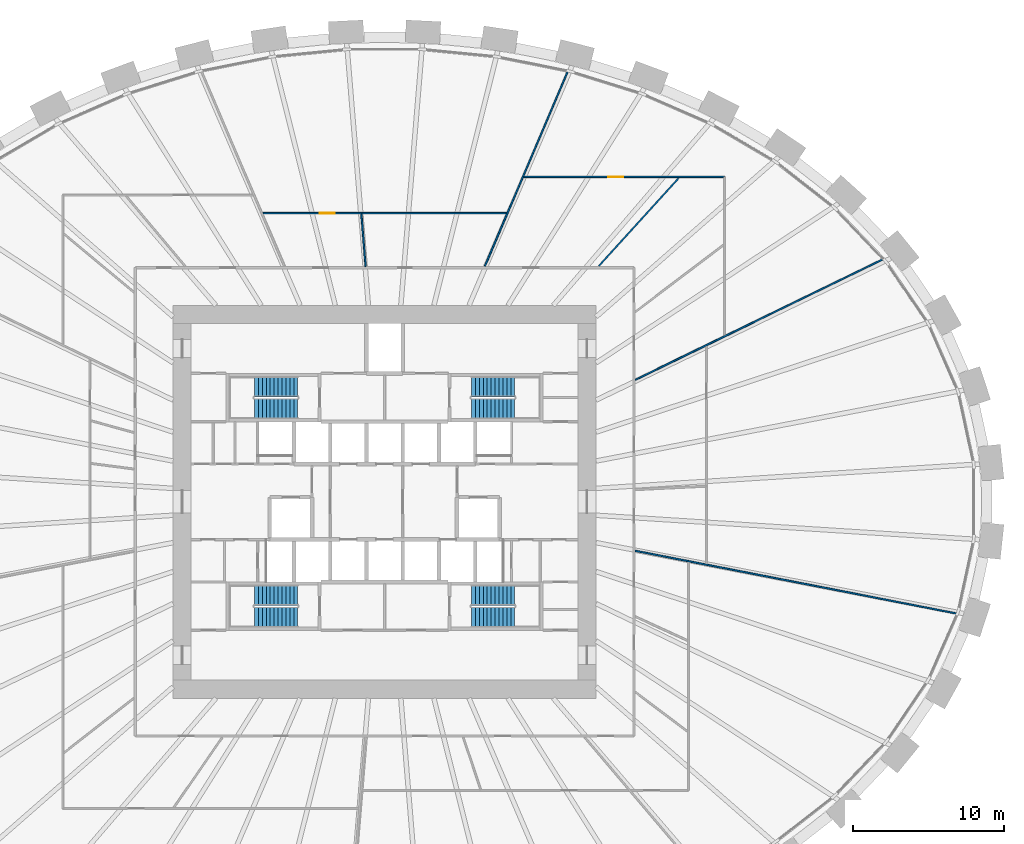
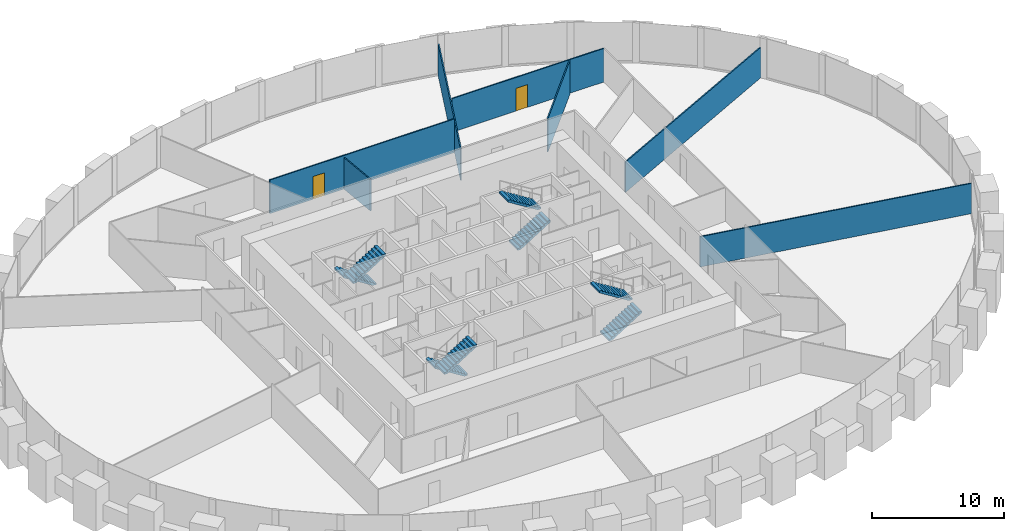
# One storey, part 10 of 11: 8 stair flights, 7 walls, 2 doors, 2 openings, 4 elements without a shape of their own.
"""IFC4 building model written with IfcOpenShell, lengths in metres."""

from ifc_helpers import new_model, si_unit, direction, frame, frame_2d, origin, place, context, subcontext, project, spatial, polyline, rectangle, outline, extrude, source, transform, mapped, material, layer, layer_set, type_object, element, fill, aggregate, save


model = new_model("IFC4")

# Units and contexts
model_context = context("Model", 3, precision=1e-05, world=origin(), true_north=direction((0.0, 1.0)))
body_context = subcontext(model_context, "Body", "Model", "MODEL_VIEW")
ifc_project = project(units=[si_unit("LENGTHUNIT", "METRE"), si_unit("AREAUNIT", "SQUARE_METRE"), si_unit("VOLUMEUNIT", "CUBIC_METRE"), si_unit("PLANEANGLEUNIT", "RADIAN"), si_unit("MASSUNIT", "GRAM", prefix="KILO")], contexts=[model_context])

# Site, building, storey
site_placement = place(None, origin())
site = spatial("IfcSite", under=ifc_project, at=site_placement, CompositionType="ELEMENT")
building_placement = place(site_placement, origin())
building = spatial("IfcBuilding", under=site, at=building_placement, Name="Embergate Tower", CompositionType="ELEMENT")
storey_placement = place(building_placement, frame((0.0, 0.0, 109.39990234375)))
storey = spatial("IfcBuildingStorey", under=building, at=storey_placement, Name="L23", CompositionType="ELEMENT", Elevation=109.39990234375)

# Walls
ifc_material_1 = material(Name="Partition dry-lined 100")
ifc_layer = layer(ifc_material_1, 0.10009765625)
ifc_layer_set = layer_set([ifc_layer], Name="Partition dry-lined 100")
wall_type = type_object("IfcWallType", Name="Partition dry-lined 100", PredefinedType="PARTITIONING", material=ifc_layer_set)
shared_shape_1 = source(origin(), body_context, "Body", "SweptSolid", [
    extrude(rectangle(XDim=21.7158203125, YDim=0.10009765625, at=frame_2d((10.85791015625, 0.0))), origin(), (0.0, 0.0, 1.0), 2.800048828125),
])
wall_1_placement = place(storey_placement, frame((37.89794921875, -7.403076171875, 0.0), z_axis=(0.0, 0.0, 1.0), x_axis=(-0.981452018893, 0.191707940917, 0.0)))
element("IfcWall", 1, at=wall_1_placement, inside=storey, type_object=wall_type, Name="IP-1 wall", PredefinedType="PARTITIONING", context=body_context, shape_type="MappedRepresentation", body=[
    mapped(shared_shape_1, transform((0.0, 0.0, 0.0))),
])
shared_shape_2 = source(origin(), body_context, "Body", "SweptSolid", [
    extrude(rectangle(XDim=18.260986328125, YDim=0.10009765625, at=frame_2d((9.13037109375, 0.0))), origin(), (0.0, 0.0, 1.0), 2.800048828125),
])
wall_2_placement = place(storey_placement, frame((33.01611328125, 16.070068359375, 0.0), z_axis=(0.0, 0.0, 1.0), x_axis=(-0.89913869284, -0.437663810519, 0.0)))
element("IfcWall", 2, at=wall_2_placement, inside=storey, type_object=wall_type, Name="IP-1 wall", PredefinedType="PARTITIONING", context=body_context, shape_type="MappedRepresentation", body=[
    mapped(shared_shape_2, transform((0.0, 0.0, 0.0))),
])
shared_shape_3 = source(origin(), body_context, "Body", "SweptSolid", [
    extrude(rectangle(XDim=7.845947265625, YDim=0.10009765625, at=frame_2d((3.9228515625, 0.0))), origin(), (0.0, 0.0, 1.0), 3.10009765625),
])
wall_3_placement = place(storey_placement, frame((14.178955078125, 15.60888671875, 0.0), z_axis=(0.0, 0.0, 1.0), x_axis=(0.672457484785, 0.740135751844, 0.0)))
element("IfcWall", 3, at=wall_3_placement, inside=storey, type_object=wall_type, Name="IP-1 wall", PredefinedType="PARTITIONING", context=body_context, shape_type="MappedRepresentation", body=[
    mapped(shared_shape_3, transform((0.0, 0.0, 0.0))),
])

# Wall, opening, door
shared_shape_4 = source(origin(), body_context, "Body", "SweptSolid", [
    extrude(rectangle(XDim=13.27490234375, YDim=0.10009765625, at=frame_2d((6.637451171875, 0.0))), origin(), (0.0, 0.0, 1.0), 3.10009765625),
])
wall_4_placement = place(storey_placement, frame((9.22509765625, 21.5, 0.0), z_axis=(0.0, 0.0, 1.0), x_axis=(1.0, 0.0, 0.0)))
wall_4 = element("IfcWall", 4, at=wall_4_placement, inside=storey, type_object=wall_type, Name="IP-1 wall", PredefinedType="PARTITIONING", context=body_context, shape_type="MappedRepresentation", body=[
    mapped(shared_shape_4, transform((0.0, 0.0, 0.0))),
])
shared_shape_5 = source(origin(), body_context, "Body", "SweptSolid", [
    extrude(rectangle(XDim=1.0, YDim=2.10009765625, at=frame_2d((0.5, 1.050048828125))), frame((0.0, 0.06005859375, 0.0), z_axis=(0.0, -1.0, 0.0), x_axis=(1.0, 0.0, 0.0)), (0.0, 0.0, 1.0), 0.1201171875),
])
opening_1_placement = place(wall_4_placement, frame((5.581298828125, 0.0, 0.0)))
opening_1 = element("IfcOpeningElement", 5, at=opening_1_placement, cuts=wall_4, Name="Opening ID-2", PredefinedType="OPENING", context=body_context, shape_type="MappedRepresentation", body=[
    mapped(shared_shape_5, transform((0.0, 0.0, 0.0))),
])
ifc_material_2 = material(Name="Interior door 1000")
door_type = type_object("IfcDoorType", Name="Interior door 1000", OperationType="SINGLE_SWING_LEFT", PredefinedType="DOOR", material=ifc_material_2)
shared_shape_6 = source(origin(), body_context, "Body", "SweptSolid", [
    extrude(rectangle(XDim=1.0, YDim=2.10009765625, at=frame_2d((0.5, 1.050048828125))), frame((0.0, 0.02490234375, 0.0), z_axis=(0.0, -1.0, 0.0), x_axis=(1.0, 0.0, 0.0)), (0.0, 0.0, 1.0), 0.050048828125),
])
door_1_placement = place(opening_1_placement, origin())
door_1 = element("IfcDoor", 6, at=door_1_placement, inside=storey, type_object=door_type, Name="ID-2 door", OperationType="SINGLE_SWING_LEFT", OverallHeight=2.10009765625, OverallWidth=1.0, PredefinedType="DOOR", context=body_context, shape_type="MappedRepresentation", body=[
    mapped(shared_shape_6, transform((0.0, 0.0, 0.0))),
])
fill(opening_1, door_1)

shared_shape_7 = source(origin(), body_context, "Body", "SweptSolid", [
    extrude(rectangle(XDim=16.10400390625, YDim=0.10009765625, at=frame_2d((8.052001953125, 0.0))), origin(), (0.0, 0.0, 1.0), 3.10009765625),
])
wall_5_placement = place(storey_placement, frame((-8.052001953125, 19.10009765625, 0.0), z_axis=(0.0, 0.0, 1.0), x_axis=(1.0, 0.0, 0.0)))
wall_5 = element("IfcWall", 7, at=wall_5_placement, inside=storey, type_object=wall_type, Name="IP-1 wall", PredefinedType="PARTITIONING", context=body_context, shape_type="MappedRepresentation", body=[
    mapped(shared_shape_7, transform((0.0, 0.0, 0.0))),
])
opening_2_placement = place(wall_5_placement, frame((3.76513671875, 0.0, 0.0)))
opening_2 = element("IfcOpeningElement", 8, at=opening_2_placement, cuts=wall_5, Name="Opening ID-2", PredefinedType="OPENING", context=body_context, shape_type="MappedRepresentation", body=[
    mapped(shared_shape_5, transform((0.0, 0.0, 0.0))),
])
door_2_placement = place(opening_2_placement, origin())
door_2 = element("IfcDoor", 9, at=door_2_placement, inside=storey, type_object=door_type, Name="ID-2 door", OperationType="SINGLE_SWING_LEFT", OverallHeight=2.10009765625, OverallWidth=1.0, PredefinedType="DOOR", context=body_context, shape_type="MappedRepresentation", body=[
    mapped(shared_shape_6, transform((0.0, 0.0, 0.0))),
])
fill(opening_2, door_2)

# Walls
shared_shape_8 = source(origin(), body_context, "Body", "SweptSolid", [
    extrude(rectangle(XDim=14.038818359375, YDim=0.10009765625, at=frame_2d((7.01953125, 0.0))), origin(), (0.0, 0.0, 1.0), 2.900146484375),
])
wall_6_placement = place(storey_placement, frame((6.635986328125, 15.594970703125, 0.0), z_axis=(0.0, 0.0, 1.0), x_axis=(0.391558923428, 0.920153035904, 0.0)))
element("IfcWall", 10, at=wall_6_placement, inside=storey, type_object=wall_type, Name="IP-1 wall", PredefinedType="PARTITIONING", context=body_context, shape_type="MappedRepresentation", body=[
    mapped(shared_shape_8, transform((0.0, 0.0, 0.0))),
])
shared_shape_9 = source(origin(), body_context, "Body", "SweptSolid", [
    extrude(rectangle(XDim=3.486328125, YDim=0.10009765625, at=frame_2d((1.7431640625, 0.0))), origin(), (0.0, 0.0, 1.0), 2.900146484375),
])
wall_7_placement = place(storey_placement, frame((-1.256103515625, 15.574951171875, 0.0), z_axis=(0.0, 0.0, 1.0), x_axis=(-0.080251771834, 0.996774625037, 0.0)))
element("IfcWall", 11, at=wall_7_placement, inside=storey, type_object=wall_type, Name="IP-1 wall", PredefinedType="PARTITIONING", context=body_context, shape_type="MappedRepresentation", body=[
    mapped(shared_shape_9, transform((0.0, 0.0, 0.0))),
])

# Stair, stair flights
ifc_material_3 = material(Name="Exit stair")
stair_type = type_object("IfcStairType", Name="Exit stair", PredefinedType="HALF_TURN_STAIR", material=ifc_material_3)
stair_1_placement = place(storey_placement, origin())
stair_1 = element("IfcStair", 12, at=stair_1_placement, inside=storey, type_object=stair_type, Name="L23 Exit stair 1", PredefinedType="HALF_TURN_STAIR")
ifc_material_4 = material(Name="Concrete C40", Category="concrete")
stair_flight_type = type_object("IfcStairFlightType", Name="Stair flight reinforced concrete", PredefinedType="STRAIGHT", material=ifc_material_4)
shared_shape_10 = source(origin(), body_context, "Body", "SweptSolid", [
    extrude(outline(polyline([(0.0, 0.0), (0.0, 0.16259765625), (0.260009765625, 0.16259765625), (0.260009765625, 0.324951171875), (0.52001953125, 0.324951171875), (0.52001953125, 0.487548828125), (0.780029296875, 0.487548828125), (0.780029296875, 0.64990234375), (1.0400390625, 0.64990234375), (1.0400390625, 0.8125), (1.300048828125, 0.8125), (1.300048828125, 0.97509765625), (1.56005859375, 0.97509765625), (1.56005859375, 1.137451171875), (1.820068359375, 1.137451171875), (1.820068359375, 1.300048828125), (2.080078125, 1.300048828125), (2.080078125, 1.46240234375), (2.340087890625, 1.46240234375), (2.340087890625, 1.625), (2.60009765625, 1.625), (2.60009765625, 1.78759765625), (2.860107421875, 1.78759765625), (2.860107421875, 1.949951171875), (2.860107421875, 1.61083984375), (0.28271484375, 0.0), (0.0, 0.0)])), frame((0.0, 0.675048828125, 0.0), z_axis=(0.0, -1.0, 0.0), x_axis=(1.0, 0.0, 0.0)), (0.0, 0.0, 1.0), 1.35009765625),
])
stair_flight_1_placement = place(storey_placement, frame((-5.75, 7.625, 0.0), z_axis=(0.0, 0.0, 1.0), x_axis=(-1.0, 0.0, 0.0)))
stair_flight_1 = element("IfcStairFlight", 13, at=stair_flight_1_placement, type_object=stair_flight_type, Name="ST1 flight 1", NumberOfRisers=12, NumberOfTreads=11, PredefinedType="STRAIGHT", RiserHeight=0.1625, TreadLength=0.26, context=body_context, shape_type="MappedRepresentation", body=[
    mapped(shared_shape_10, transform((0.0, 0.0, 0.0))),
])
stair_flight_2_placement = place(storey_placement, frame((-8.610107421875, 6.175048828125, 1.9501953125), z_axis=(0.0, 0.0, 1.0), x_axis=(1.0, 0.0, 0.0)))
stair_flight_2 = element("IfcStairFlight", 14, at=stair_flight_2_placement, type_object=stair_flight_type, Name="ST1 flight 2", NumberOfRisers=12, NumberOfTreads=11, PredefinedType="STRAIGHT", RiserHeight=0.1625, TreadLength=0.26, context=body_context, shape_type="MappedRepresentation", body=[
    mapped(shared_shape_10, transform((0.0, 0.0, 0.0))),
])
aggregate(stair_1, [stair_flight_1, stair_flight_2])

stair_2_placement = place(storey_placement, origin())
stair_2 = element("IfcStair", 15, at=stair_2_placement, inside=storey, type_object=stair_type, Name="L23 Exit stair 2", PredefinedType="HALF_TURN_STAIR")
stair_flight_3_placement = place(storey_placement, frame((5.75, 6.175048828125, 0.0), z_axis=(0.0, 0.0, 1.0), x_axis=(1.0, 0.0, 0.0)))
stair_flight_3 = element("IfcStairFlight", 16, at=stair_flight_3_placement, type_object=stair_flight_type, Name="ST2 flight 1", NumberOfRisers=12, NumberOfTreads=11, PredefinedType="STRAIGHT", RiserHeight=0.1625, TreadLength=0.26, context=body_context, shape_type="MappedRepresentation", body=[
    mapped(shared_shape_10, transform((0.0, 0.0, 0.0))),
])
stair_flight_4_placement = place(storey_placement, frame((8.610107421875, 7.625, 1.9501953125), z_axis=(0.0, 0.0, 1.0), x_axis=(-1.0, 0.0, 0.0)))
stair_flight_4 = element("IfcStairFlight", 17, at=stair_flight_4_placement, type_object=stair_flight_type, Name="ST2 flight 2", NumberOfRisers=12, NumberOfTreads=11, PredefinedType="STRAIGHT", RiserHeight=0.1625, TreadLength=0.26, context=body_context, shape_type="MappedRepresentation", body=[
    mapped(shared_shape_10, transform((0.0, 0.0, 0.0))),
])
aggregate(stair_2, [stair_flight_3, stair_flight_4])

stair_3_placement = place(storey_placement, origin())
stair_3 = element("IfcStair", 18, at=stair_3_placement, inside=storey, type_object=stair_type, Name="L23 Exit stair 3", PredefinedType="HALF_TURN_STAIR")
stair_flight_5_placement = place(storey_placement, frame((-5.75, -6.175048828125, 0.0), z_axis=(0.0, 0.0, 1.0), x_axis=(-1.0, 0.0, 0.0)))
stair_flight_5 = element("IfcStairFlight", 19, at=stair_flight_5_placement, type_object=stair_flight_type, Name="ST3 flight 1", NumberOfRisers=12, NumberOfTreads=11, PredefinedType="STRAIGHT", RiserHeight=0.1625, TreadLength=0.26, context=body_context, shape_type="MappedRepresentation", body=[
    mapped(shared_shape_10, transform((0.0, 0.0, 0.0))),
])
stair_flight_6_placement = place(storey_placement, frame((-8.610107421875, -7.625, 1.9501953125), z_axis=(0.0, 0.0, 1.0), x_axis=(1.0, 0.0, 0.0)))
stair_flight_6 = element("IfcStairFlight", 20, at=stair_flight_6_placement, type_object=stair_flight_type, Name="ST3 flight 2", NumberOfRisers=12, NumberOfTreads=11, PredefinedType="STRAIGHT", RiserHeight=0.1625, TreadLength=0.26, context=body_context, shape_type="MappedRepresentation", body=[
    mapped(shared_shape_10, transform((0.0, 0.0, 0.0))),
])
aggregate(stair_3, [stair_flight_5, stair_flight_6])

stair_4_placement = place(storey_placement, origin())
stair_4 = element("IfcStair", 21, at=stair_4_placement, inside=storey, type_object=stair_type, Name="L23 Exit stair 4", PredefinedType="HALF_TURN_STAIR")
stair_flight_7_placement = place(storey_placement, frame((5.75, -7.625, 0.0), z_axis=(0.0, 0.0, 1.0), x_axis=(1.0, 0.0, 0.0)))
stair_flight_7 = element("IfcStairFlight", 22, at=stair_flight_7_placement, type_object=stair_flight_type, Name="ST4 flight 1", NumberOfRisers=12, NumberOfTreads=11, PredefinedType="STRAIGHT", RiserHeight=0.1625, TreadLength=0.26, context=body_context, shape_type="MappedRepresentation", body=[
    mapped(shared_shape_10, transform((0.0, 0.0, 0.0))),
])
stair_flight_8_placement = place(storey_placement, frame((8.610107421875, -6.175048828125, 1.9501953125), z_axis=(0.0, 0.0, 1.0), x_axis=(-1.0, 0.0, 0.0)))
stair_flight_8 = element("IfcStairFlight", 23, at=stair_flight_8_placement, type_object=stair_flight_type, Name="ST4 flight 2", NumberOfRisers=12, NumberOfTreads=11, PredefinedType="STRAIGHT", RiserHeight=0.1625, TreadLength=0.26, context=body_context, shape_type="MappedRepresentation", body=[
    mapped(shared_shape_10, transform((0.0, 0.0, 0.0))),
])
aggregate(stair_4, [stair_flight_7, stair_flight_8])

save(model, "model.ifc")
